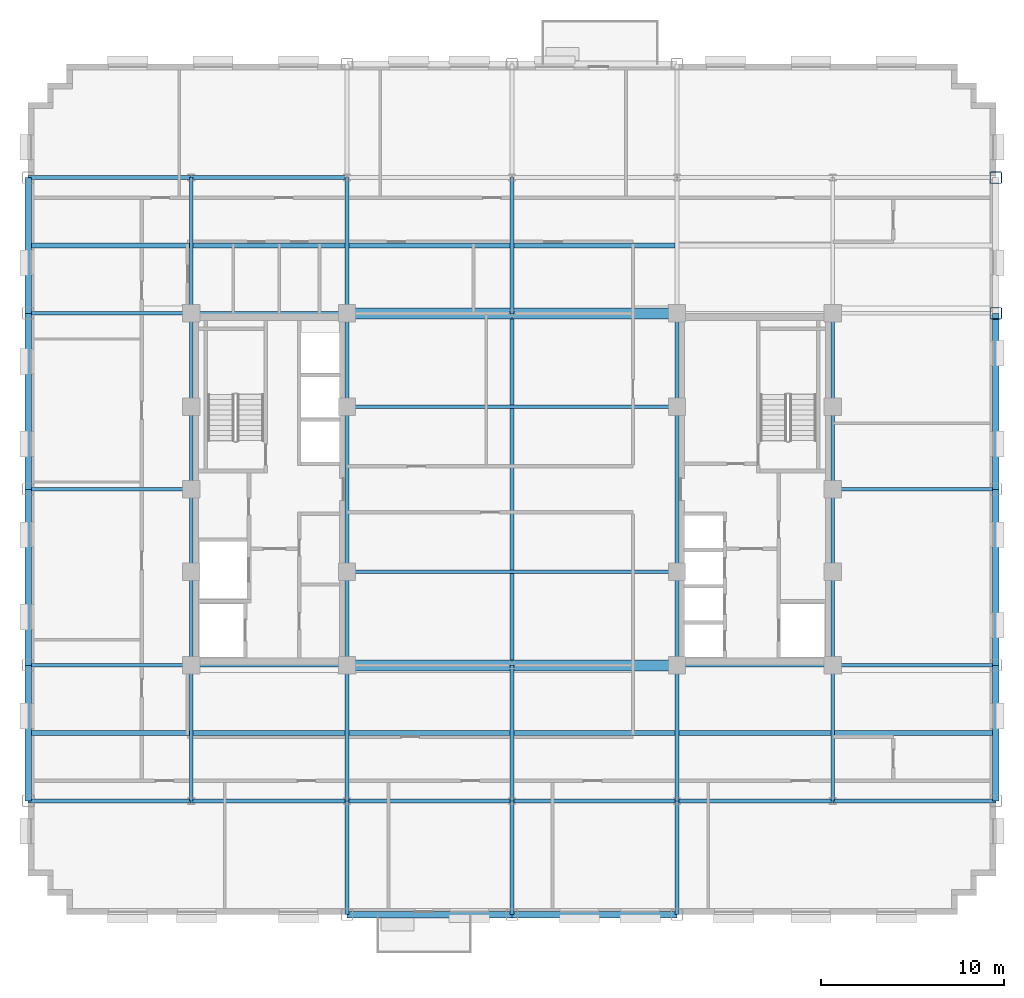
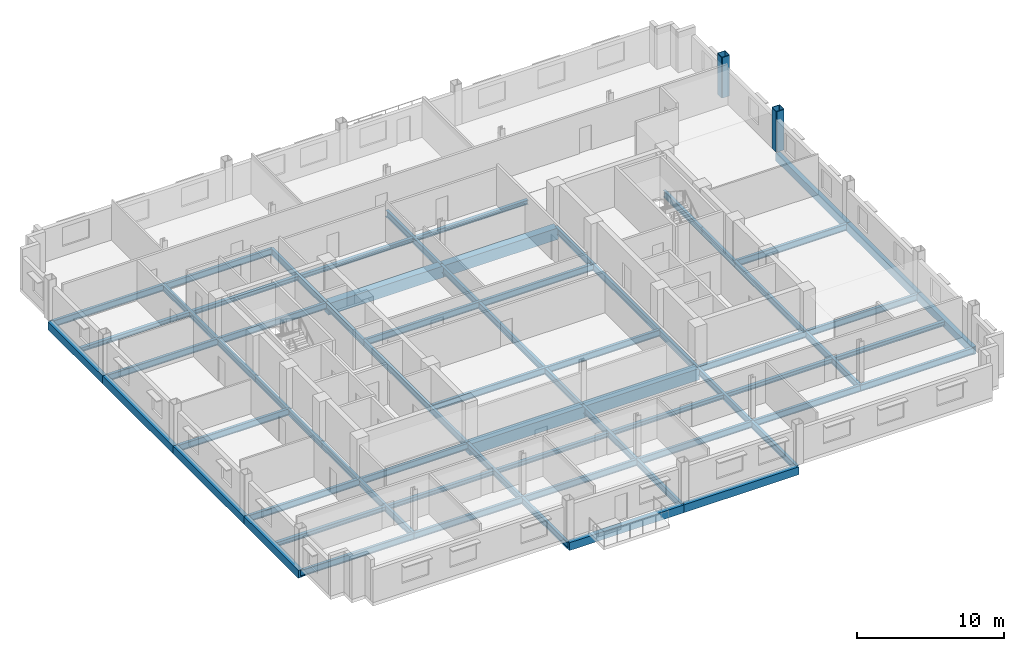
# One storey, part 4 of 14: 67 beams, 2 columns.
"""IFC4 building model written with IfcOpenShell, lengths in metres."""

import ifcopenshell
import ifcopenshell.guid

model = None  # the IFC model being written
_history = None  # IfcOwnerHistory: only IFC2X3 demands one
_inside = {}  # id of a spatial element -> (the spatial element, [elements in it])
_under = {}  # id of a project, library or spatial element -> (it, [spatial elements below it])
_declared = {}  # id of a project -> (the project, [libraries it declares])
_typed = {}  # id of a type object -> (the type object, [elements of that type])
_made_of = {}  # id of a material, layer set ... -> (it, [elements and type objects made of it])


def new_model(schema):
    """Start an empty IFC model of exactly this schema.

    Asked for "IFC4X3", IfcOpenShell would pick the latest addendum, in which some entities
    have other attributes; the version numbers below select the first issue.
    IFC2X3 requires an IfcOwnerHistory on every rooted entity: one is made here for all.
    """
    global model, _history
    if schema == "IFC4X3":
        model = ifcopenshell.file(schema_version=(4, 3, 0, 0))
    else:
        model = ifcopenshell.file(schema=schema)
    _inside.clear()
    _under.clear()
    _declared.clear()
    _typed.clear()
    _made_of.clear()
    _history = None
    if model.schema == "IFC2X3":
        org = make("IfcOrganization", Name="unknown")
        user = make(
            "IfcPersonAndOrganization",
            ThePerson=make("IfcPerson", FamilyName="unknown"),
            TheOrganization=org,
        )
        app = make(
            "IfcApplication",
            ApplicationDeveloper=org,
            Version="unknown",
            ApplicationFullName="unknown",
            ApplicationIdentifier="unknown",
        )
        _history = make(
            "IfcOwnerHistory",
            OwningUser=user,
            OwningApplication=app,
            ChangeAction="ADDED",
            CreationDate=0,
        )
    return model


def make(cls, **values):
    """One entity of the class cls with the attributes given. An attribute that is None is left unset."""
    return model.create_entity(
        cls, **{name: value for name, value in values.items() if value is not None}
    )


def rooted(cls, **values):
    """An entity with a GlobalId (a new one), such as an element, a storey or a relation."""
    return make(cls, GlobalId=ifcopenshell.guid.new(), OwnerHistory=_history, **values)


def si_unit(unit_type, name, prefix=None):
    """IfcSIUnit, for example si_unit("LENGTHUNIT", "METRE", prefix="MILLI")."""
    return make("IfcSIUnit", UnitType=unit_type, Prefix=prefix, Name=name)


def assignment(units):
    """IfcUnitAssignment: the units of a project."""
    return None if units is None else make("IfcUnitAssignment", Units=units)


def point(xyz):
    """IfcCartesianPoint."""
    return None if xyz is None else make("IfcCartesianPoint", Coordinates=xyz)


def direction(xyz):
    """IfcDirection."""
    return None if xyz is None else make("IfcDirection", DirectionRatios=xyz)


def frame(location, z_axis=None, x_axis=None):
    """IfcAxis2Placement3D, a coordinate frame: its origin and axes. An axis left out is left unset."""
    return make(
        "IfcAxis2Placement3D",
        Location=point(location),
        Axis=direction(z_axis),
        RefDirection=direction(x_axis),
    )


def frame_2d(location, x_axis=None):
    """IfcAxis2Placement2D, a coordinate frame in the plane: its origin and x axis."""
    return make(
        "IfcAxis2Placement2D", Location=point(location), RefDirection=direction(x_axis)
    )


def origin():
    """The frame at (0, 0, 0) with its axes left unset."""
    return frame((0.0, 0.0, 0.0))


def origin_2d():
    """The frame at (0, 0) in the plane with its x axis left unset."""
    return frame_2d((0.0, 0.0))


def place(relative_to, where):
    """IfcLocalPlacement: puts the frame where relative to a parent placement (None: the world)."""
    return make(
        "IfcLocalPlacement", PlacementRelTo=relative_to, RelativePlacement=where
    )


def context(
    kind, dimensions, precision=None, world=None, true_north=None, identifier=None
):
    """IfcGeometricRepresentationContext, for example the 3D "Model" context."""
    return make(
        "IfcGeometricRepresentationContext",
        ContextIdentifier=identifier,
        ContextType=kind,
        CoordinateSpaceDimension=dimensions,
        Precision=precision,
        WorldCoordinateSystem=world,
        TrueNorth=true_north,
    )


def subcontext(parent, identifier, kind, view, scale=None):
    """IfcGeometricRepresentationSubContext, for example "Body" below "Model"."""
    return make(
        "IfcGeometricRepresentationSubContext",
        ContextIdentifier=identifier,
        ContextType=kind,
        ParentContext=parent,
        TargetScale=scale,
        TargetView=view,
    )


def project(units=None, contexts=None):
    """IfcProject with its units and contexts."""
    return rooted(
        "IfcProject",
        Name="project",
        RepresentationContexts=contexts,
        UnitsInContext=assignment(units),
    )


def spatial(cls, under=None, at=None, **own):
    """A site, building, storey or space (cls), placed at a placement, below another one or the project."""
    s = rooted(cls, ObjectPlacement=at, **own)
    if under is not None:
        _under.setdefault(under.id(), (under, []))[1].append(s)
    return s


def profile(cls, at=None, kind="AREA", **sizes):
    """A parametric profile (cls). Its sizes go by their IFC names, for example OverallWidth=200.0."""
    return make(cls, ProfileType=kind, Position=at, **sizes)


def rectangle(**sizes):
    """IfcRectangleProfileDef."""
    return profile("IfcRectangleProfileDef", **sizes)


def hollow_rectangle(**sizes):
    """IfcRectangleHollowProfileDef."""
    return profile("IfcRectangleHollowProfileDef", **sizes)


def i_section(**sizes):
    """IfcIShapeProfileDef."""
    return profile("IfcIShapeProfileDef", **sizes)


def extrude(swept, where, along, depth):
    """IfcExtrudedAreaSolid: the profile swept, set in the frame where, extruded along a direction by depth."""
    return make(
        "IfcExtrudedAreaSolid",
        SweptArea=swept,
        Position=where,
        ExtrudedDirection=direction(along),
        Depth=depth,
    )


def shape(context_of_items, identifier, shape_type, items):
    """IfcShapeRepresentation: the items that make up one representation, for example the "Body"."""
    return make(
        "IfcShapeRepresentation",
        ContextOfItems=context_of_items,
        RepresentationIdentifier=identifier,
        RepresentationType=shape_type,
        Items=items,
    )


def material(Name=None, Category=None):
    """IfcMaterial."""
    return make("IfcMaterial", Name=Name, Category=Category)


def material_profile(
    of_material, cross_section, Name=None, Category=None, Priority=None
):
    """IfcMaterialProfile: a cross section and its material."""
    return make(
        "IfcMaterialProfile",
        Name=Name,
        Material=of_material,
        Profile=cross_section,
        Priority=Priority,
        Category=Category,
    )


def profile_set(profiles, Name=None, composite=None):
    """IfcMaterialProfileSet."""
    return make(
        "IfcMaterialProfileSet",
        Name=Name,
        MaterialProfiles=profiles,
        CompositeProfile=composite,
    )


def made_of(thing, what):
    """Note that an element or type object is made of a material, layer set ...; save() writes the relation."""
    if what is not None:
        _made_of.setdefault(what.id(), (what, []))[1].append(thing)
    return thing


def type_object(cls, material=None, **own):
    """A type object (cls), such as IfcWallType, which elements share."""
    return made_of(rooted(cls, **own), material)


def element(
    cls,
    number,
    at=None,
    inside=None,
    cuts=None,
    type_object=None,
    material=None,
    context=None,
    identifier="Body",
    shape_type=None,
    held_by="IfcProductDefinitionShape",
    body=None,
    shapes=None,
    **own,
):
    """One element of the class cls, such as IfcWall. Its Tag is "e" and its number.

    at: its placement. inside: the storey or other place that contains it. cuts: it is an
    opening in that element (IfcRelVoidsElement). A single representation is given by context,
    identifier, shape_type and body (its items); several are given by shapes. held_by: the class
    of the entity that holds the representations. save() writes the other relations.
    """
    e = rooted(cls, Tag="e%d" % number, ObjectPlacement=at, **own)
    if body is not None:
        shapes = [shape(context, identifier, shape_type, body)]
    if shapes is not None:
        e.Representation = make(held_by, Representations=shapes)
    if inside is not None:
        _inside.setdefault(inside.id(), (inside, []))[1].append(e)
    if cuts is not None:
        rooted(
            "IfcRelVoidsElement", RelatingBuildingElement=cuts, RelatedOpeningElement=e
        )
    if type_object is not None:
        _typed.setdefault(type_object.id(), (type_object, []))[1].append(e)
    return made_of(e, material)


def aggregate(whole, parts):
    """IfcRelAggregates: a whole, such as a stair, and the parts it consists of."""
    return rooted("IfcRelAggregates", RelatingObject=whole, RelatedObjects=parts)


def save(model, path):
    """Write the relations noted so far, then the file.

    IfcRelAggregates (storeys below a building ...), IfcRelContainedInSpatialStructure (elements
    in a storey), IfcRelDefinesByType, IfcRelAssociatesMaterial and IfcRelDeclares: one each for
    every whole, place, type object, material and project.
    """
    for whole, parts in _under.values():
        aggregate(whole, parts)
    for where, things in _inside.values():
        rooted(
            "IfcRelContainedInSpatialStructure",
            RelatedElements=things,
            RelatingStructure=where,
        )
    for kind, things in _typed.values():
        rooted("IfcRelDefinesByType", RelatedObjects=things, RelatingType=kind)
    for what, things in _made_of.values():
        rooted("IfcRelAssociatesMaterial", RelatedObjects=things, RelatingMaterial=what)
    for by, libraries in _declared.values():
        rooted("IfcRelDeclares", RelatingContext=by, RelatedDefinitions=libraries)
    model.write(path)


model = new_model("IFC4")

# Units and contexts
model_context = context("Model", 3, precision=1e-05, world=origin(), true_north=direction((0.0, 1.0)))
body_context = subcontext(model_context, "Body", "Model", "MODEL_VIEW")
ifc_project = project(units=[si_unit("LENGTHUNIT", "METRE"), si_unit("AREAUNIT", "SQUARE_METRE"), si_unit("VOLUMEUNIT", "CUBIC_METRE"), si_unit("PLANEANGLEUNIT", "RADIAN"), si_unit("MASSUNIT", "GRAM", prefix="KILO")], contexts=[model_context])

# Site, building, storey
site_placement = place(None, origin())
site = spatial("IfcSite", under=ifc_project, at=site_placement, CompositionType="ELEMENT")
building_placement = place(site_placement, origin())
building = spatial("IfcBuilding", under=site, at=building_placement, Name="Nuvemarco Arch Tower", CompositionType="ELEMENT")
storey_placement = place(building_placement, frame((0.0, 0.0, 160.35009765625)))
storey = spatial("IfcBuildingStorey", under=building, at=storey_placement, Name="L42", CompositionType="ELEMENT", Elevation=160.35009765625)

# Columns
ifc_material_1 = material(Name="Steel S355", Category="steel")
ifc_material_profile_1 = material_profile(ifc_material_1, hollow_rectangle(XDim=0.64990234375, YDim=0.64990234375, WallThickness=0.0400390625, InnerFilletRadius=0.0400390625, OuterFilletRadius=0.080078125, at=origin_2d()), Name="SHS650x650x40")
ifc_profile_set_1 = profile_set([ifc_material_profile_1], Name="Steel S355")
column_type = type_object("IfcColumnType", Name="COL-EXO-650", PredefinedType="COLUMN", material=ifc_profile_set_1)
for number, where, z_axis, x_axis, name in (
    (1, (26.39990234375, 9.60009765625, 0.0), (0.0, 0.0, 1.0), (1.0, 0.0, 0.0), "L42 column CX_+26.4_+9.6"),
    (2, (26.39990234375, 17.0, 0.0), (0.0, 0.0, 1.0), (1.0, 0.0, 0.0), "L42 column CX_+26.4_+17.0"),
):
    element("IfcColumn", number, at=place(storey_placement, frame(where, z_axis=z_axis, x_axis=x_axis)), inside=storey, type_object=column_type, Name=name, PredefinedType="COLUMN", context=body_context, shape_type="SweptSolid", body=[
        extrude(hollow_rectangle(XDim=0.64990234375, YDim=0.64990234375, WallThickness=0.0400390625, InnerFilletRadius=0.0400390625, OuterFilletRadius=0.080078125, at=origin_2d()), origin(), (0.0, 0.0, 1.0), 3.369873046875),
    ])

# Beams
ifc_material_2 = material(Name="Concrete C60/75", Category="concrete")
ifc_material_profile_2 = material_profile(ifc_material_2, rectangle(XDim=0.60009765625, YDim=0.949951171875, at=origin_2d()), Name="RC-BM-600x950")
ifc_profile_set_2 = profile_set([ifc_material_profile_2], Name="Concrete C60/75")
beam_type_1 = type_object("IfcBeamType", Name="BM-COUP-RC", PredefinedType="LINTEL", material=ifc_profile_set_2)
for number, where, z_axis, x_axis, name in (
    (3, (-9.0, -9.60009765625, -0.755126953125), (1.0, 0.0, 0.0), (0.0, 1.0, 0.0), "L42 structural beam BGEW_L42_0_-9.6_-9.0"),
    (4, (0.0, -9.60009765625, -0.755126953125), (1.0, 0.0, 0.0), (0.0, 1.0, 0.0), "L42 structural beam BGEW_L42_0_-9.6_+0.0"),
    (5, (-9.0, 9.60009765625, -0.755126953125), (1.0, 0.0, 0.0), (0.0, 1.0, 0.0), "L42 structural beam BGEW_L42_0_+9.6_-9.0"),
    (6, (0.0, 9.60009765625, -0.755126953125), (1.0, 0.0, 0.0), (0.0, 1.0, 0.0), "L42 structural beam BGEW_L42_0_+9.6_+0.0"),
):
    element("IfcBeam", number, at=place(storey_placement, frame(where, z_axis=z_axis, x_axis=x_axis)), inside=storey, type_object=beam_type_1, Name=name, PredefinedType="LINTEL", context=body_context, shape_type="SweptSolid", body=[
        extrude(rectangle(XDim=0.60009765625, YDim=0.949951171875, at=origin_2d()), origin(), (0.0, 0.0, 1.0), 9.0),
    ])
ifc_material_profile_3 = material_profile(ifc_material_1, i_section(OverallWidth=0.2109375, OverallDepth=0.5390625, WebThickness=0.01171875, FlangeThickness=0.018798828125, FilletRadius=0.01611328125, at=origin_2d()), Name="W530x109")
ifc_profile_set_3 = profile_set([ifc_material_profile_3], Name="Steel S355")
beam_type_2 = type_object("IfcBeamType", Name="BM-GIRD-530", PredefinedType="BEAM", material=ifc_profile_set_3)
beam_1_placement = place(storey_placement, frame((-17.5, -17.0, -0.549560546875), z_axis=(0.0, 1.0, 0.0), x_axis=(-1.0, 0.0, 0.0)))
element("IfcBeam", 7, at=beam_1_placement, inside=storey, type_object=beam_type_2, Name="L42 structural beam BGNS_L42_0_-17.5_-17.0", PredefinedType="BEAM", context=body_context, shape_type="SweptSolid", body=[
    extrude(i_section(OverallWidth=0.2109375, OverallDepth=0.5390625, WebThickness=0.01171875, FlangeThickness=0.018798828125, FilletRadius=0.01611328125, at=origin_2d()), origin(), (0.0, 0.0, 1.0), 7.39990234375),
])
beam_2_placement = place(storey_placement, frame((-17.5, -9.60009765625, -0.549560546875), z_axis=(0.0, 1.0, 0.0), x_axis=(-1.0, 0.0, 0.0)))
element("IfcBeam", 8, at=beam_2_placement, inside=storey, type_object=beam_type_2, Name="L42 structural beam BGNS_L42_0_-17.5_-9.6", PredefinedType="BEAM", context=body_context, shape_type="SweptSolid", body=[
    extrude(i_section(OverallWidth=0.2109375, OverallDepth=0.5390625, WebThickness=0.01171875, FlangeThickness=0.018798828125, FilletRadius=0.01611328125, at=origin_2d()), origin(), (0.0, 0.0, 1.0), 5.10009765625),
])
for number, where, z_axis, x_axis, name in (
    (9, (-17.5, -4.5, -0.549560546875), (0.0, 1.0, 0.0), (-1.0, 0.0, 0.0), "L42 structural beam BGNS_L42_0_-17.5_-4.5"),
    (10, (-17.5, 0.0, -0.549560546875), (0.0, 1.0, 0.0), (-1.0, 0.0, 0.0), "L42 structural beam BGNS_L42_0_-17.5_+0.0"),
):
    element("IfcBeam", number, at=place(storey_placement, frame(where, z_axis=z_axis, x_axis=x_axis)), inside=storey, type_object=beam_type_2, Name=name, PredefinedType="BEAM", context=body_context, shape_type="SweptSolid", body=[
        extrude(i_section(OverallWidth=0.2109375, OverallDepth=0.5390625, WebThickness=0.01171875, FlangeThickness=0.018798828125, FilletRadius=0.01611328125, at=origin_2d()), origin(), (0.0, 0.0, 1.0), 4.5),
    ])
beam_3_placement = place(storey_placement, frame((-17.5, 4.5, -0.549560546875), z_axis=(0.0, 1.0, 0.0), x_axis=(-1.0, 0.0, 0.0)))
element("IfcBeam", 11, at=beam_3_placement, inside=storey, type_object=beam_type_2, Name="L42 structural beam BGNS_L42_0_-17.5_+4.5", PredefinedType="BEAM", context=body_context, shape_type="SweptSolid", body=[
    extrude(i_section(OverallWidth=0.2109375, OverallDepth=0.5390625, WebThickness=0.01171875, FlangeThickness=0.018798828125, FilletRadius=0.01611328125, at=origin_2d()), origin(), (0.0, 0.0, 1.0), 5.10009765625),
])
beam_4_placement = place(storey_placement, frame((-17.5, 9.60009765625, -0.549560546875), z_axis=(0.0, 1.0, 0.0), x_axis=(-1.0, 0.0, 0.0)))
element("IfcBeam", 12, at=beam_4_placement, inside=storey, type_object=beam_type_2, Name="L42 structural beam BGNS_L42_0_-17.5_+9.6", PredefinedType="BEAM", context=body_context, shape_type="SweptSolid", body=[
    extrude(i_section(OverallWidth=0.2109375, OverallDepth=0.5390625, WebThickness=0.01171875, FlangeThickness=0.018798828125, FilletRadius=0.01611328125, at=origin_2d()), origin(), (0.0, 0.0, 1.0), 7.39990234375),
])
beam_5_placement = place(storey_placement, frame((-9.0, -23.199951171875, -0.549560546875), z_axis=(0.0, 1.0, 0.0), x_axis=(-1.0, 0.0, 0.0)))
element("IfcBeam", 13, at=beam_5_placement, inside=storey, type_object=beam_type_2, Name="L42 structural beam BGNS_L42_0_-9.0_-23.2", PredefinedType="BEAM", context=body_context, shape_type="SweptSolid", body=[
    extrude(i_section(OverallWidth=0.2109375, OverallDepth=0.5390625, WebThickness=0.01171875, FlangeThickness=0.018798828125, FilletRadius=0.01611328125, at=origin_2d()), origin(), (0.0, 0.0, 1.0), 6.199951171875),
])
beam_6_placement = place(storey_placement, frame((-9.0, -17.0, -0.549560546875), z_axis=(0.0, 1.0, 0.0), x_axis=(-1.0, 0.0, 0.0)))
element("IfcBeam", 14, at=beam_6_placement, inside=storey, type_object=beam_type_2, Name="L42 structural beam BGNS_L42_0_-9.0_-17.0", PredefinedType="BEAM", context=body_context, shape_type="SweptSolid", body=[
    extrude(i_section(OverallWidth=0.2109375, OverallDepth=0.5390625, WebThickness=0.01171875, FlangeThickness=0.018798828125, FilletRadius=0.01611328125, at=origin_2d()), origin(), (0.0, 0.0, 1.0), 7.39990234375),
])
beam_7_placement = place(storey_placement, frame((-9.0, -9.60009765625, -0.549560546875), z_axis=(0.0, 1.0, 0.0), x_axis=(-1.0, 0.0, 0.0)))
element("IfcBeam", 15, at=beam_7_placement, inside=storey, type_object=beam_type_2, Name="L42 structural beam BGNS_L42_0_-9.0_-9.6", PredefinedType="BEAM", context=body_context, shape_type="SweptSolid", body=[
    extrude(i_section(OverallWidth=0.2109375, OverallDepth=0.5390625, WebThickness=0.01171875, FlangeThickness=0.018798828125, FilletRadius=0.01611328125, at=origin_2d()), origin(), (0.0, 0.0, 1.0), 5.10009765625),
])
beam_8_placement = place(storey_placement, frame((-9.0, -4.5, -0.549560546875), z_axis=(0.0, 1.0, 0.0), x_axis=(-1.0, 0.0, 0.0)))
element("IfcBeam", 16, at=beam_8_placement, inside=storey, type_object=beam_type_2, Name="L42 structural beam BGNS_L42_0_-9.0_-4.5", PredefinedType="BEAM", context=body_context, shape_type="SweptSolid", body=[
    extrude(i_section(OverallWidth=0.2109375, OverallDepth=0.5390625, WebThickness=0.01171875, FlangeThickness=0.018798828125, FilletRadius=0.01611328125, at=origin_2d()), origin(), (0.0, 0.0, 1.0), 9.0),
])
beam_9_placement = place(storey_placement, frame((-9.0, 4.5, -0.549560546875), z_axis=(0.0, 1.0, 0.0), x_axis=(-1.0, 0.0, 0.0)))
element("IfcBeam", 17, at=beam_9_placement, inside=storey, type_object=beam_type_2, Name="L42 structural beam BGNS_L42_0_-9.0_+4.5", PredefinedType="BEAM", context=body_context, shape_type="SweptSolid", body=[
    extrude(i_section(OverallWidth=0.2109375, OverallDepth=0.5390625, WebThickness=0.01171875, FlangeThickness=0.018798828125, FilletRadius=0.01611328125, at=origin_2d()), origin(), (0.0, 0.0, 1.0), 5.10009765625),
])
beam_10_placement = place(storey_placement, frame((-9.0, 9.60009765625, -0.549560546875), z_axis=(0.0, 1.0, 0.0), x_axis=(-1.0, 0.0, 0.0)))
element("IfcBeam", 18, at=beam_10_placement, inside=storey, type_object=beam_type_2, Name="L42 structural beam BGNS_L42_0_-9.0_+9.6", PredefinedType="BEAM", context=body_context, shape_type="SweptSolid", body=[
    extrude(i_section(OverallWidth=0.2109375, OverallDepth=0.5390625, WebThickness=0.01171875, FlangeThickness=0.018798828125, FilletRadius=0.01611328125, at=origin_2d()), origin(), (0.0, 0.0, 1.0), 7.39990234375),
])
beam_11_placement = place(storey_placement, frame((0.0, -23.199951171875, -0.549560546875), z_axis=(0.0, 1.0, 0.0), x_axis=(-1.0, 0.0, 0.0)))
element("IfcBeam", 19, at=beam_11_placement, inside=storey, type_object=beam_type_2, Name="L42 structural beam BGNS_L42_0_+0.0_-23.2", PredefinedType="BEAM", context=body_context, shape_type="SweptSolid", body=[
    extrude(i_section(OverallWidth=0.2109375, OverallDepth=0.5390625, WebThickness=0.01171875, FlangeThickness=0.018798828125, FilletRadius=0.01611328125, at=origin_2d()), origin(), (0.0, 0.0, 1.0), 6.199951171875),
])
beam_12_placement = place(storey_placement, frame((0.0, -17.0, -0.549560546875), z_axis=(0.0, 1.0, 0.0), x_axis=(-1.0, 0.0, 0.0)))
element("IfcBeam", 20, at=beam_12_placement, inside=storey, type_object=beam_type_2, Name="L42 structural beam BGNS_L42_0_+0.0_-17.0", PredefinedType="BEAM", context=body_context, shape_type="SweptSolid", body=[
    extrude(i_section(OverallWidth=0.2109375, OverallDepth=0.5390625, WebThickness=0.01171875, FlangeThickness=0.018798828125, FilletRadius=0.01611328125, at=origin_2d()), origin(), (0.0, 0.0, 1.0), 7.39990234375),
])
beam_13_placement = place(storey_placement, frame((0.0, -9.60009765625, -0.549560546875), z_axis=(0.0, 1.0, 0.0), x_axis=(-1.0, 0.0, 0.0)))
element("IfcBeam", 21, at=beam_13_placement, inside=storey, type_object=beam_type_2, Name="L42 structural beam BGNS_L42_0_+0.0_-9.6", PredefinedType="BEAM", context=body_context, shape_type="SweptSolid", body=[
    extrude(i_section(OverallWidth=0.2109375, OverallDepth=0.5390625, WebThickness=0.01171875, FlangeThickness=0.018798828125, FilletRadius=0.01611328125, at=origin_2d()), origin(), (0.0, 0.0, 1.0), 19.2001953125),
])
beam_14_placement = place(storey_placement, frame((0.0, 9.60009765625, -0.549560546875), z_axis=(0.0, 1.0, 0.0), x_axis=(-1.0, 0.0, 0.0)))
element("IfcBeam", 22, at=beam_14_placement, inside=storey, type_object=beam_type_2, Name="L42 structural beam BGNS_L42_0_+0.0_+9.6", PredefinedType="BEAM", context=body_context, shape_type="SweptSolid", body=[
    extrude(i_section(OverallWidth=0.2109375, OverallDepth=0.5390625, WebThickness=0.01171875, FlangeThickness=0.018798828125, FilletRadius=0.01611328125, at=origin_2d()), origin(), (0.0, 0.0, 1.0), 7.39990234375),
])
beam_15_placement = place(storey_placement, frame((9.0, -23.199951171875, -0.549560546875), z_axis=(0.0, 1.0, 0.0), x_axis=(-1.0, 0.0, 0.0)))
element("IfcBeam", 23, at=beam_15_placement, inside=storey, type_object=beam_type_2, Name="L42 structural beam BGNS_L42_0_+9.0_-23.2", PredefinedType="BEAM", context=body_context, shape_type="SweptSolid", body=[
    extrude(i_section(OverallWidth=0.2109375, OverallDepth=0.5390625, WebThickness=0.01171875, FlangeThickness=0.018798828125, FilletRadius=0.01611328125, at=origin_2d()), origin(), (0.0, 0.0, 1.0), 6.199951171875),
])
beam_16_placement = place(storey_placement, frame((9.0, -17.0, -0.549560546875), z_axis=(0.0, 1.0, 0.0), x_axis=(-1.0, 0.0, 0.0)))
element("IfcBeam", 24, at=beam_16_placement, inside=storey, type_object=beam_type_2, Name="L42 structural beam BGNS_L42_0_+9.0_-17.0", PredefinedType="BEAM", context=body_context, shape_type="SweptSolid", body=[
    extrude(i_section(OverallWidth=0.2109375, OverallDepth=0.5390625, WebThickness=0.01171875, FlangeThickness=0.018798828125, FilletRadius=0.01611328125, at=origin_2d()), origin(), (0.0, 0.0, 1.0), 7.39990234375),
])
beam_17_placement = place(storey_placement, frame((9.0, -9.60009765625, -0.549560546875), z_axis=(0.0, 1.0, 0.0), x_axis=(-1.0, 0.0, 0.0)))
element("IfcBeam", 25, at=beam_17_placement, inside=storey, type_object=beam_type_2, Name="L42 structural beam BGNS_L42_0_+9.0_-9.6", PredefinedType="BEAM", context=body_context, shape_type="SweptSolid", body=[
    extrude(i_section(OverallWidth=0.2109375, OverallDepth=0.5390625, WebThickness=0.01171875, FlangeThickness=0.018798828125, FilletRadius=0.01611328125, at=origin_2d()), origin(), (0.0, 0.0, 1.0), 5.10009765625),
])
beam_18_placement = place(storey_placement, frame((9.0, -4.5, -0.549560546875), z_axis=(0.0, 1.0, 0.0), x_axis=(-1.0, 0.0, 0.0)))
element("IfcBeam", 26, at=beam_18_placement, inside=storey, type_object=beam_type_2, Name="L42 structural beam BGNS_L42_0_+9.0_-4.5", PredefinedType="BEAM", context=body_context, shape_type="SweptSolid", body=[
    extrude(i_section(OverallWidth=0.2109375, OverallDepth=0.5390625, WebThickness=0.01171875, FlangeThickness=0.018798828125, FilletRadius=0.01611328125, at=origin_2d()), origin(), (0.0, 0.0, 1.0), 9.0),
])
beam_19_placement = place(storey_placement, frame((9.0, 4.5, -0.549560546875), z_axis=(0.0, 1.0, 0.0), x_axis=(-1.0, 0.0, 0.0)))
element("IfcBeam", 27, at=beam_19_placement, inside=storey, type_object=beam_type_2, Name="L42 structural beam BGNS_L42_0_+9.0_+4.5", PredefinedType="BEAM", context=body_context, shape_type="SweptSolid", body=[
    extrude(i_section(OverallWidth=0.2109375, OverallDepth=0.5390625, WebThickness=0.01171875, FlangeThickness=0.018798828125, FilletRadius=0.01611328125, at=origin_2d()), origin(), (0.0, 0.0, 1.0), 5.10009765625),
])
beam_20_placement = place(storey_placement, frame((17.5, -17.0, -0.549560546875), z_axis=(0.0, 1.0, 0.0), x_axis=(-1.0, 0.0, 0.0)))
element("IfcBeam", 28, at=beam_20_placement, inside=storey, type_object=beam_type_2, Name="L42 structural beam BGNS_L42_0_+17.5_-17.0", PredefinedType="BEAM", context=body_context, shape_type="SweptSolid", body=[
    extrude(i_section(OverallWidth=0.2109375, OverallDepth=0.5390625, WebThickness=0.01171875, FlangeThickness=0.018798828125, FilletRadius=0.01611328125, at=origin_2d()), origin(), (0.0, 0.0, 1.0), 7.39990234375),
])
beam_21_placement = place(storey_placement, frame((17.5, -9.60009765625, -0.549560546875), z_axis=(0.0, 1.0, 0.0), x_axis=(-1.0, 0.0, 0.0)))
element("IfcBeam", 29, at=beam_21_placement, inside=storey, type_object=beam_type_2, Name="L42 structural beam BGNS_L42_0_+17.5_-9.6", PredefinedType="BEAM", context=body_context, shape_type="SweptSolid", body=[
    extrude(i_section(OverallWidth=0.2109375, OverallDepth=0.5390625, WebThickness=0.01171875, FlangeThickness=0.018798828125, FilletRadius=0.01611328125, at=origin_2d()), origin(), (0.0, 0.0, 1.0), 5.10009765625),
])
for number, where, z_axis, x_axis, name in (
    (30, (17.5, -4.5, -0.549560546875), (0.0, 1.0, 0.0), (-1.0, 0.0, 0.0), "L42 structural beam BGNS_L42_0_+17.5_-4.5"),
    (31, (17.5, 0.0, -0.549560546875), (0.0, 1.0, 0.0), (-1.0, 0.0, 0.0), "L42 structural beam BGNS_L42_0_+17.5_+0.0"),
):
    element("IfcBeam", number, at=place(storey_placement, frame(where, z_axis=z_axis, x_axis=x_axis)), inside=storey, type_object=beam_type_2, Name=name, PredefinedType="BEAM", context=body_context, shape_type="SweptSolid", body=[
        extrude(i_section(OverallWidth=0.2109375, OverallDepth=0.5390625, WebThickness=0.01171875, FlangeThickness=0.018798828125, FilletRadius=0.01611328125, at=origin_2d()), origin(), (0.0, 0.0, 1.0), 4.5),
    ])
beam_22_placement = place(storey_placement, frame((17.5, 4.5, -0.549560546875), z_axis=(0.0, 1.0, 0.0), x_axis=(-1.0, 0.0, 0.0)))
element("IfcBeam", 32, at=beam_22_placement, inside=storey, type_object=beam_type_2, Name="L42 structural beam BGNS_L42_0_+17.5_+4.5", PredefinedType="BEAM", context=body_context, shape_type="SweptSolid", body=[
    extrude(i_section(OverallWidth=0.2109375, OverallDepth=0.5390625, WebThickness=0.01171875, FlangeThickness=0.018798828125, FilletRadius=0.01611328125, at=origin_2d()), origin(), (0.0, 0.0, 1.0), 5.10009765625),
])
beam_23_placement = place(storey_placement, frame((-26.39990234375, -17.0, -0.549560546875), z_axis=(1.0, 0.0, 0.0), x_axis=(0.0, 1.0, 0.0)))
element("IfcBeam", 33, at=beam_23_placement, inside=storey, type_object=beam_type_2, Name="L42 structural beam BGEW_L42_0_-17.0_-26.4", PredefinedType="BEAM", context=body_context, shape_type="SweptSolid", body=[
    extrude(i_section(OverallWidth=0.2109375, OverallDepth=0.5390625, WebThickness=0.01171875, FlangeThickness=0.018798828125, FilletRadius=0.01611328125, at=origin_2d()), origin(), (0.0, 0.0, 1.0), 8.89990234375),
])
beam_24_placement = place(storey_placement, frame((-17.5, -17.0, -0.549560546875), z_axis=(1.0, 0.0, 0.0), x_axis=(0.0, 1.0, 0.0)))
element("IfcBeam", 34, at=beam_24_placement, inside=storey, type_object=beam_type_2, Name="L42 structural beam BGEW_L42_0_-17.0_-17.5", PredefinedType="BEAM", context=body_context, shape_type="SweptSolid", body=[
    extrude(i_section(OverallWidth=0.2109375, OverallDepth=0.5390625, WebThickness=0.01171875, FlangeThickness=0.018798828125, FilletRadius=0.01611328125, at=origin_2d()), origin(), (0.0, 0.0, 1.0), 8.5),
])
for number, where, z_axis, x_axis, name in (
    (35, (-9.0, -17.0, -0.549560546875), (1.0, 0.0, 0.0), (0.0, 1.0, 0.0), "L42 structural beam BGEW_L42_0_-17.0_-9.0"),
    (36, (0.0, -17.0, -0.549560546875), (1.0, 0.0, 0.0), (0.0, 1.0, 0.0), "L42 structural beam BGEW_L42_0_-17.0_+0.0"),
):
    element("IfcBeam", number, at=place(storey_placement, frame(where, z_axis=z_axis, x_axis=x_axis)), inside=storey, type_object=beam_type_2, Name=name, PredefinedType="BEAM", context=body_context, shape_type="SweptSolid", body=[
        extrude(i_section(OverallWidth=0.2109375, OverallDepth=0.5390625, WebThickness=0.01171875, FlangeThickness=0.018798828125, FilletRadius=0.01611328125, at=origin_2d()), origin(), (0.0, 0.0, 1.0), 9.0),
    ])
beam_25_placement = place(storey_placement, frame((9.0, -17.0, -0.549560546875), z_axis=(1.0, 0.0, 0.0), x_axis=(0.0, 1.0, 0.0)))
element("IfcBeam", 37, at=beam_25_placement, inside=storey, type_object=beam_type_2, Name="L42 structural beam BGEW_L42_0_-17.0_+9.0", PredefinedType="BEAM", context=body_context, shape_type="SweptSolid", body=[
    extrude(i_section(OverallWidth=0.2109375, OverallDepth=0.5390625, WebThickness=0.01171875, FlangeThickness=0.018798828125, FilletRadius=0.01611328125, at=origin_2d()), origin(), (0.0, 0.0, 1.0), 8.5),
])
for number, where, z_axis, x_axis, name in (
    (38, (17.5, -17.0, -0.549560546875), (1.0, 0.0, 0.0), (0.0, 1.0, 0.0), "L42 structural beam BGEW_L42_0_-17.0_+17.5"),
    (39, (-26.39990234375, -9.60009765625, -0.549560546875), (1.0, 0.0, 0.0), (0.0, 1.0, 0.0), "L42 structural beam BGEW_L42_0_-9.6_-26.4"),
):
    element("IfcBeam", number, at=place(storey_placement, frame(where, z_axis=z_axis, x_axis=x_axis)), inside=storey, type_object=beam_type_2, Name=name, PredefinedType="BEAM", context=body_context, shape_type="SweptSolid", body=[
        extrude(i_section(OverallWidth=0.2109375, OverallDepth=0.5390625, WebThickness=0.01171875, FlangeThickness=0.018798828125, FilletRadius=0.01611328125, at=origin_2d()), origin(), (0.0, 0.0, 1.0), 8.89990234375),
    ])
for number, where, z_axis, x_axis, name in (
    (40, (-17.5, -9.60009765625, -0.549560546875), (1.0, 0.0, 0.0), (0.0, 1.0, 0.0), "L42 structural beam BGEW_L42_0_-9.6_-17.5"),
    (41, (9.0, -9.60009765625, -0.549560546875), (1.0, 0.0, 0.0), (0.0, 1.0, 0.0), "L42 structural beam BGEW_L42_0_-9.6_+9.0"),
):
    element("IfcBeam", number, at=place(storey_placement, frame(where, z_axis=z_axis, x_axis=x_axis)), inside=storey, type_object=beam_type_2, Name=name, PredefinedType="BEAM", context=body_context, shape_type="SweptSolid", body=[
        extrude(i_section(OverallWidth=0.2109375, OverallDepth=0.5390625, WebThickness=0.01171875, FlangeThickness=0.018798828125, FilletRadius=0.01611328125, at=origin_2d()), origin(), (0.0, 0.0, 1.0), 8.5),
    ])
beam_26_placement = place(storey_placement, frame((17.5, -9.60009765625, -0.549560546875), z_axis=(1.0, 0.0, 0.0), x_axis=(0.0, 1.0, 0.0)))
element("IfcBeam", 42, at=beam_26_placement, inside=storey, type_object=beam_type_2, Name="L42 structural beam BGEW_L42_0_-9.6_+17.5", PredefinedType="BEAM", context=body_context, shape_type="SweptSolid", body=[
    extrude(i_section(OverallWidth=0.2109375, OverallDepth=0.5390625, WebThickness=0.01171875, FlangeThickness=0.018798828125, FilletRadius=0.01611328125, at=origin_2d()), origin(), (0.0, 0.0, 1.0), 8.89990234375),
])
beam_27_placement = place(storey_placement, frame((-9.0, -4.5, -0.549560546875), z_axis=(1.0, 0.0, 0.0), x_axis=(0.0, 1.0, 0.0)))
element("IfcBeam", 43, at=beam_27_placement, inside=storey, type_object=beam_type_2, Name="L42 structural beam BGEW_L42_0_-4.5_-9.0", PredefinedType="BEAM", context=body_context, shape_type="SweptSolid", body=[
    extrude(i_section(OverallWidth=0.2109375, OverallDepth=0.5390625, WebThickness=0.01171875, FlangeThickness=0.018798828125, FilletRadius=0.01611328125, at=origin_2d()), origin(), (0.0, 0.0, 1.0), 18.0),
])
for number, where, z_axis, x_axis, name in (
    (44, (-26.39990234375, 0.0, -0.549560546875), (1.0, 0.0, 0.0), (0.0, 1.0, 0.0), "L42 structural beam BGEW_L42_0_+0.0_-26.4"),
    (45, (17.5, 0.0, -0.549560546875), (1.0, 0.0, 0.0), (0.0, 1.0, 0.0), "L42 structural beam BGEW_L42_0_+0.0_+17.5"),
):
    element("IfcBeam", number, at=place(storey_placement, frame(where, z_axis=z_axis, x_axis=x_axis)), inside=storey, type_object=beam_type_2, Name=name, PredefinedType="BEAM", context=body_context, shape_type="SweptSolid", body=[
        extrude(i_section(OverallWidth=0.2109375, OverallDepth=0.5390625, WebThickness=0.01171875, FlangeThickness=0.018798828125, FilletRadius=0.01611328125, at=origin_2d()), origin(), (0.0, 0.0, 1.0), 8.89990234375),
    ])
beam_28_placement = place(storey_placement, frame((-9.0, 4.5, -0.549560546875), z_axis=(1.0, 0.0, 0.0), x_axis=(0.0, 1.0, 0.0)))
element("IfcBeam", 46, at=beam_28_placement, inside=storey, type_object=beam_type_2, Name="L42 structural beam BGEW_L42_0_+4.5_-9.0", PredefinedType="BEAM", context=body_context, shape_type="SweptSolid", body=[
    extrude(i_section(OverallWidth=0.2109375, OverallDepth=0.5390625, WebThickness=0.01171875, FlangeThickness=0.018798828125, FilletRadius=0.01611328125, at=origin_2d()), origin(), (0.0, 0.0, 1.0), 18.0),
])
beam_29_placement = place(storey_placement, frame((-26.39990234375, 9.60009765625, -0.549560546875), z_axis=(1.0, 0.0, 0.0), x_axis=(0.0, 1.0, 0.0)))
element("IfcBeam", 47, at=beam_29_placement, inside=storey, type_object=beam_type_2, Name="L42 structural beam BGEW_L42_0_+9.6_-26.4", PredefinedType="BEAM", context=body_context, shape_type="SweptSolid", body=[
    extrude(i_section(OverallWidth=0.2109375, OverallDepth=0.5390625, WebThickness=0.01171875, FlangeThickness=0.018798828125, FilletRadius=0.01611328125, at=origin_2d()), origin(), (0.0, 0.0, 1.0), 8.89990234375),
])
beam_30_placement = place(storey_placement, frame((-17.5, 9.60009765625, -0.549560546875), z_axis=(1.0, 0.0, 0.0), x_axis=(0.0, 1.0, 0.0)))
element("IfcBeam", 48, at=beam_30_placement, inside=storey, type_object=beam_type_2, Name="L42 structural beam BGEW_L42_0_+9.6_-17.5", PredefinedType="BEAM", context=body_context, shape_type="SweptSolid", body=[
    extrude(i_section(OverallWidth=0.2109375, OverallDepth=0.5390625, WebThickness=0.01171875, FlangeThickness=0.018798828125, FilletRadius=0.01611328125, at=origin_2d()), origin(), (0.0, 0.0, 1.0), 8.5),
])
beam_31_placement = place(storey_placement, frame((-26.39990234375, 17.0, -0.549560546875), z_axis=(1.0, 0.0, 0.0), x_axis=(0.0, 1.0, 0.0)))
element("IfcBeam", 49, at=beam_31_placement, inside=storey, type_object=beam_type_2, Name="L42 structural beam BGEW_L42_0_+17.0_-26.4", PredefinedType="BEAM", context=body_context, shape_type="SweptSolid", body=[
    extrude(i_section(OverallWidth=0.2109375, OverallDepth=0.5390625, WebThickness=0.01171875, FlangeThickness=0.018798828125, FilletRadius=0.01611328125, at=origin_2d()), origin(), (0.0, 0.0, 1.0), 8.89990234375),
])
beam_32_placement = place(storey_placement, frame((-17.5, 17.0, -0.549560546875), z_axis=(1.0, 0.0, 0.0), x_axis=(0.0, 1.0, 0.0)))
element("IfcBeam", 50, at=beam_32_placement, inside=storey, type_object=beam_type_2, Name="L42 structural beam BGEW_L42_0_+17.0_-17.5", PredefinedType="BEAM", context=body_context, shape_type="SweptSolid", body=[
    extrude(i_section(OverallWidth=0.2109375, OverallDepth=0.5390625, WebThickness=0.01171875, FlangeThickness=0.018798828125, FilletRadius=0.01611328125, at=origin_2d()), origin(), (0.0, 0.0, 1.0), 8.5),
])
ifc_material_profile_4 = material_profile(ifc_material_1, i_section(OverallWidth=0.2548828125, OverallDepth=0.35693359375, WebThickness=0.010498046875, FlangeThickness=0.018310546875, FilletRadius=0.014892578125, at=origin_2d()), Name="W360x101")
ifc_profile_set_4 = profile_set([ifc_material_profile_4], Name="Steel S355")
beam_type_3 = type_object("IfcBeamType", Name="BM-JOIST-360H", PredefinedType="JOIST", material=ifc_profile_set_4)
beam_33_placement = place(storey_placement, frame((-26.22509765625, -13.300048828125, -0.45849609375), z_axis=(1.0, 0.0, 0.0), x_axis=(0.0, 1.0, 0.0)))
element("IfcBeam", 51, at=beam_33_placement, inside=storey, type_object=beam_type_3, Name="L42 structural beam BJ_L42_0_-13.3_-26.4", PredefinedType="JOIST", context=body_context, shape_type="SweptSolid", body=[
    extrude(i_section(OverallWidth=0.2548828125, OverallDepth=0.35693359375, WebThickness=0.010498046875, FlangeThickness=0.018310546875, FilletRadius=0.014892578125, at=origin_2d()), origin(), (0.0, 0.0, 1.0), 8.61962890625),
])
beam_34_placement = place(storey_placement, frame((-17.39453125, -13.300048828125, -0.45849609375), z_axis=(1.0, 0.0, 0.0), x_axis=(0.0, 1.0, 0.0)))
element("IfcBeam", 52, at=beam_34_placement, inside=storey, type_object=beam_type_3, Name="L42 structural beam BJ_L42_0_-13.3_-17.5", PredefinedType="JOIST", context=body_context, shape_type="SweptSolid", body=[
    extrude(i_section(OverallWidth=0.2548828125, OverallDepth=0.35693359375, WebThickness=0.010498046875, FlangeThickness=0.018310546875, FilletRadius=0.014892578125, at=origin_2d()), origin(), (0.0, 0.0, 1.0), 8.2890625),
])
for number, where, z_axis, x_axis, name in (
    (53, (-8.89453125, -13.300048828125, -0.45849609375), (1.0, 0.0, 0.0), (0.0, 1.0, 0.0), "L42 structural beam BJ_L42_0_-13.3_-9.0"),
    (54, (0.10546875, -13.300048828125, -0.45849609375), (1.0, 0.0, 0.0), (0.0, 1.0, 0.0), "L42 structural beam BJ_L42_0_-13.3_+0.0"),
):
    element("IfcBeam", number, at=place(storey_placement, frame(where, z_axis=z_axis, x_axis=x_axis)), inside=storey, type_object=beam_type_3, Name=name, PredefinedType="JOIST", context=body_context, shape_type="SweptSolid", body=[
        extrude(i_section(OverallWidth=0.2548828125, OverallDepth=0.35693359375, WebThickness=0.010498046875, FlangeThickness=0.018310546875, FilletRadius=0.014892578125, at=origin_2d()), origin(), (0.0, 0.0, 1.0), 8.7890625),
    ])
beam_35_placement = place(storey_placement, frame((9.10546875, -13.300048828125, -0.45849609375), z_axis=(1.0, 0.0, 0.0), x_axis=(0.0, 1.0, 0.0)))
element("IfcBeam", 55, at=beam_35_placement, inside=storey, type_object=beam_type_3, Name="L42 structural beam BJ_L42_0_-13.3_+9.0", PredefinedType="JOIST", context=body_context, shape_type="SweptSolid", body=[
    extrude(i_section(OverallWidth=0.2548828125, OverallDepth=0.35693359375, WebThickness=0.010498046875, FlangeThickness=0.018310546875, FilletRadius=0.014892578125, at=origin_2d()), origin(), (0.0, 0.0, 1.0), 8.2890625),
])
for number, where, z_axis, x_axis, name in (
    (56, (17.60546875, -13.300048828125, -0.45849609375), (1.0, 0.0, 0.0), (0.0, 1.0, 0.0), "L42 structural beam BJ_L42_0_-13.3_+17.5"),
    (57, (-26.22509765625, 13.300048828125, -0.45849609375), (1.0, 0.0, 0.0), (0.0, 1.0, 0.0), "L42 structural beam BJ_L42_0_+13.3_-26.4"),
):
    element("IfcBeam", number, at=place(storey_placement, frame(where, z_axis=z_axis, x_axis=x_axis)), inside=storey, type_object=beam_type_3, Name=name, PredefinedType="JOIST", context=body_context, shape_type="SweptSolid", body=[
        extrude(i_section(OverallWidth=0.2548828125, OverallDepth=0.35693359375, WebThickness=0.010498046875, FlangeThickness=0.018310546875, FilletRadius=0.014892578125, at=origin_2d()), origin(), (0.0, 0.0, 1.0), 8.61962890625),
    ])
beam_36_placement = place(storey_placement, frame((-17.39453125, 13.300048828125, -0.45849609375), z_axis=(1.0, 0.0, 0.0), x_axis=(0.0, 1.0, 0.0)))
element("IfcBeam", 58, at=beam_36_placement, inside=storey, type_object=beam_type_3, Name="L42 structural beam BJ_L42_0_+13.3_-17.5", PredefinedType="JOIST", context=body_context, shape_type="SweptSolid", body=[
    extrude(i_section(OverallWidth=0.2548828125, OverallDepth=0.35693359375, WebThickness=0.010498046875, FlangeThickness=0.018310546875, FilletRadius=0.014892578125, at=origin_2d()), origin(), (0.0, 0.0, 1.0), 8.2890625),
])
for number, where, z_axis, x_axis, name in (
    (59, (-8.89453125, 13.300048828125, -0.45849609375), (1.0, 0.0, 0.0), (0.0, 1.0, 0.0), "L42 structural beam BJ_L42_0_+13.3_-9.0"),
    (60, (0.10546875, 13.300048828125, -0.45849609375), (1.0, 0.0, 0.0), (0.0, 1.0, 0.0), "L42 structural beam BJ_L42_0_+13.3_+0.0"),
):
    element("IfcBeam", number, at=place(storey_placement, frame(where, z_axis=z_axis, x_axis=x_axis)), inside=storey, type_object=beam_type_3, Name=name, PredefinedType="JOIST", context=body_context, shape_type="SweptSolid", body=[
        extrude(i_section(OverallWidth=0.2548828125, OverallDepth=0.35693359375, WebThickness=0.010498046875, FlangeThickness=0.018310546875, FilletRadius=0.014892578125, at=origin_2d()), origin(), (0.0, 0.0, 1.0), 8.7890625),
    ])
ifc_material_3 = material(Name="Precast concrete C45/55", Category="concrete")
ifc_material_profile_5 = material_profile(ifc_material_3, rectangle(XDim=0.35009765625, YDim=0.64990234375, at=origin_2d()), Name="PC-SP-350x650")
ifc_profile_set_5 = profile_set([ifc_material_profile_5], Name="Precast concrete C45/55")
beam_type_4 = type_object("IfcBeamType", Name="BM-SPAN-RC", PredefinedType="SPANDREL", material=ifc_profile_set_5)
beam_37_placement = place(storey_placement, frame((-26.39990234375, -17.0, -0.60498046875), z_axis=(0.0, 1.0, 0.0), x_axis=(-1.0, 0.0, 0.0)))
element("IfcBeam", 61, at=beam_37_placement, inside=storey, type_object=beam_type_4, Name="L42 structural beam BGNS_L42_0_-26.4_-17.0", PredefinedType="SPANDREL", context=body_context, shape_type="SweptSolid", body=[
    extrude(rectangle(XDim=0.35009765625, YDim=0.64990234375, at=origin_2d()), origin(), (0.0, 0.0, 1.0), 7.39990234375),
])
for number, where, z_axis, x_axis, name in (
    (62, (-26.39990234375, -9.60009765625, -0.60498046875), (0.0, 1.0, 0.0), (-1.0, 0.0, 0.0), "L42 structural beam BGNS_L42_0_-26.4_-9.6"),
    (63, (-26.39990234375, 0.0, -0.60498046875), (0.0, 1.0, 0.0), (-1.0, 0.0, 0.0), "L42 structural beam BGNS_L42_0_-26.4_+0.0"),
):
    element("IfcBeam", number, at=place(storey_placement, frame(where, z_axis=z_axis, x_axis=x_axis)), inside=storey, type_object=beam_type_4, Name=name, PredefinedType="SPANDREL", context=body_context, shape_type="SweptSolid", body=[
        extrude(rectangle(XDim=0.35009765625, YDim=0.64990234375, at=origin_2d()), origin(), (0.0, 0.0, 1.0), 9.60009765625),
    ])
for number, where, z_axis, x_axis, name in (
    (64, (-26.39990234375, 9.60009765625, -0.60498046875), (0.0, 1.0, 0.0), (-1.0, 0.0, 0.0), "L42 structural beam BGNS_L42_0_-26.4_+9.6"),
    (65, (26.39990234375, -17.0, -0.60498046875), (0.0, 1.0, 0.0), (-1.0, 0.0, 0.0), "L42 structural beam BGNS_L42_0_+26.4_-17.0"),
):
    element("IfcBeam", number, at=place(storey_placement, frame(where, z_axis=z_axis, x_axis=x_axis)), inside=storey, type_object=beam_type_4, Name=name, PredefinedType="SPANDREL", context=body_context, shape_type="SweptSolid", body=[
        extrude(rectangle(XDim=0.35009765625, YDim=0.64990234375, at=origin_2d()), origin(), (0.0, 0.0, 1.0), 7.39990234375),
    ])
for number, where, z_axis, x_axis, name in (
    (66, (26.39990234375, -9.60009765625, -0.60498046875), (0.0, 1.0, 0.0), (-1.0, 0.0, 0.0), "L42 structural beam BGNS_L42_0_+26.4_-9.6"),
    (67, (26.39990234375, 0.0, -0.60498046875), (0.0, 1.0, 0.0), (-1.0, 0.0, 0.0), "L42 structural beam BGNS_L42_0_+26.4_+0.0"),
):
    element("IfcBeam", number, at=place(storey_placement, frame(where, z_axis=z_axis, x_axis=x_axis)), inside=storey, type_object=beam_type_4, Name=name, PredefinedType="SPANDREL", context=body_context, shape_type="SweptSolid", body=[
        extrude(rectangle(XDim=0.35009765625, YDim=0.64990234375, at=origin_2d()), origin(), (0.0, 0.0, 1.0), 9.60009765625),
    ])
for number, where, z_axis, x_axis, name in (
    (68, (-9.0, -23.199951171875, -0.60498046875), (1.0, 0.0, 0.0), (0.0, 1.0, 0.0), "L42 structural beam BGEW_L42_0_-23.2_-9.0"),
    (69, (0.0, -23.199951171875, -0.60498046875), (1.0, 0.0, 0.0), (0.0, 1.0, 0.0), "L42 structural beam BGEW_L42_0_-23.2_+0.0"),
):
    element("IfcBeam", number, at=place(storey_placement, frame(where, z_axis=z_axis, x_axis=x_axis)), inside=storey, type_object=beam_type_4, Name=name, PredefinedType="SPANDREL", context=body_context, shape_type="SweptSolid", body=[
        extrude(rectangle(XDim=0.35009765625, YDim=0.64990234375, at=origin_2d()), origin(), (0.0, 0.0, 1.0), 9.0),
    ])

save(model, "model.ifc")
